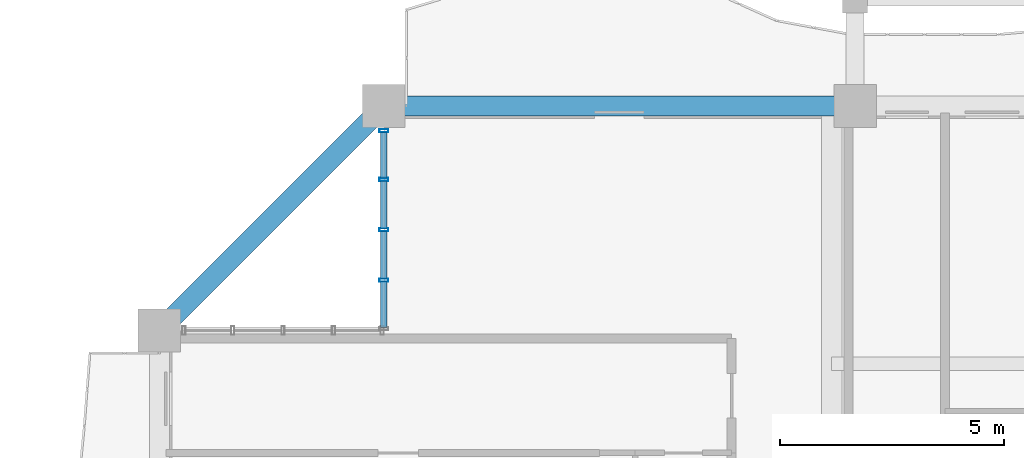
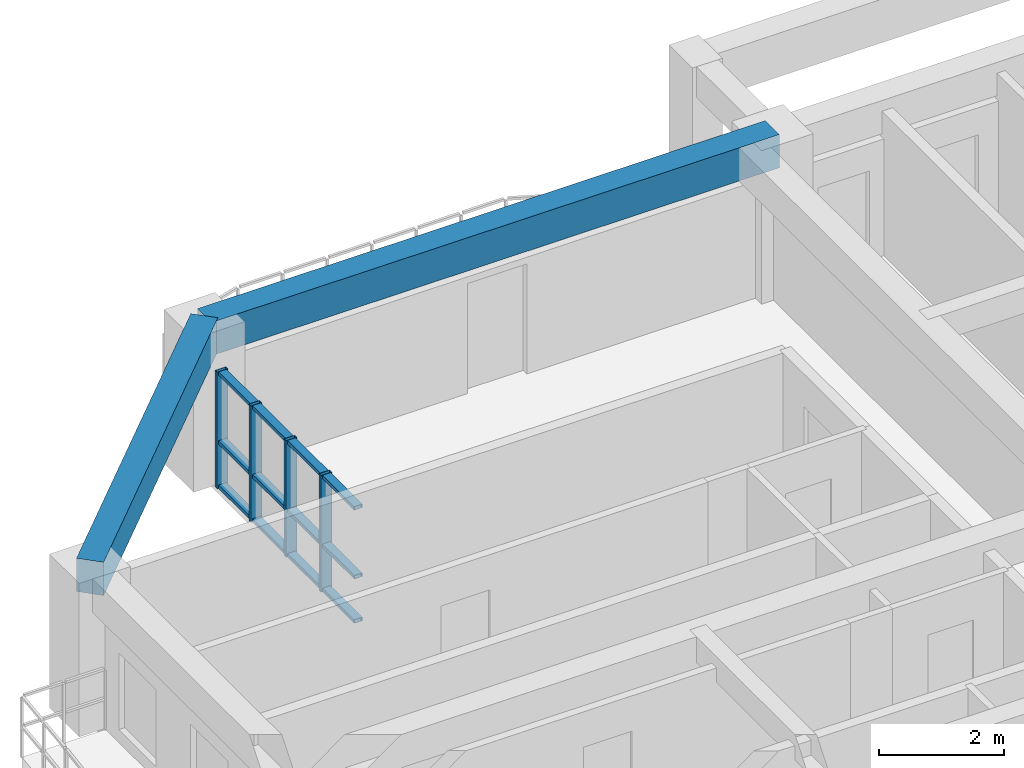
# One storey, part 7 of 24: 16 members, 2 beams, 1 element without a shape of its own.
"""IFC4 building model written with IfcOpenShell, lengths in metres."""

from ifc_helpers import new_model, si_unit, direction, frame, origin, origin_2d, place, context, subcontext, project, spatial, rectangle, hollow_rectangle, extrude, source, transform, mapped, material, layer, layer_set, material_profile, profile_set, type_object, element, aggregate, save


model = new_model("IFC4")

# Units and contexts
model_context = context("Model", 3, precision=1e-05, world=origin(), true_north=direction((0.0, 1.0)))
body_context = subcontext(model_context, "Body", "Model", "MODEL_VIEW")
ifc_project = project(units=[si_unit("LENGTHUNIT", "METRE"), si_unit("AREAUNIT", "SQUARE_METRE"), si_unit("VOLUMEUNIT", "CUBIC_METRE"), si_unit("PLANEANGLEUNIT", "RADIAN"), si_unit("MASSUNIT", "GRAM", prefix="KILO")], contexts=[model_context])

# Site, building, storey
site_placement = place(None, origin())
site = spatial("IfcSite", under=ifc_project, at=site_placement, CompositionType="ELEMENT")
building_placement = place(site_placement, origin())
building = spatial("IfcBuilding", under=site, at=building_placement, Name="Saelheon Loggia Tower", CompositionType="ELEMENT")
storey_placement = place(building_placement, frame((0.0, 0.0, 166.0)))
storey = spatial("IfcBuildingStorey", under=building, at=storey_placement, Name="L52", CompositionType="ELEMENT", Elevation=166.0)

# Beams
ifc_material_1 = material(Name="Concrete C40/50", Category="concrete")
ifc_material_profile_1 = material_profile(ifc_material_1, rectangle(XDim=0.449951171875, YDim=0.64990234375, at=origin_2d()), Name="RC-450x650")
ifc_profile_set_1 = profile_set([ifc_material_profile_1], Name="Concrete C40/50")
beam_type = type_object("IfcBeamType", Name="Beam_PerimTower_RC450x650", PredefinedType="BEAM", material=ifc_profile_set_1)
shared_shape_1 = source(origin(), body_context, "Body", "SweptSolid", [
    extrude(rectangle(XDim=0.449951171875, YDim=0.64990234375, at=origin_2d()), origin(), (0.0, 0.0, 1.0), 10.5),
])
beam_1_placement = place(storey_placement, frame((31.5, 48.0, 2.675048828125), z_axis=(-1.0, 0.0, 0.0), x_axis=(0.0, -1.0, 0.0)))
element("IfcBeam", 1, at=beam_1_placement, inside=storey, type_object=beam_type, Name="L52 Perimeter Frame Girder 11", PredefinedType="BEAM", context=body_context, shape_type="MappedRepresentation", body=[
    mapped(shared_shape_1, transform((0.0, 0.0, 0.0), scale=1.0)),
])
shared_shape_2 = source(origin(), body_context, "Body", "SweptSolid", [
    extrude(rectangle(XDim=0.449951171875, YDim=0.64990234375, at=origin_2d()), origin(), (0.0, 0.0, 1.0), 7.071044921875),
])
beam_2_placement = place(storey_placement, frame((21.0, 48.0, 2.675048828125), z_axis=(-0.707106781187, -0.707106781187, 0.0), x_axis=(0.707106781187, -0.707106781187, 0.0)))
element("IfcBeam", 2, at=beam_2_placement, inside=storey, type_object=beam_type, Name="L52 Perimeter Frame Girder 12", PredefinedType="BEAM", context=body_context, shape_type="MappedRepresentation", body=[
    mapped(shared_shape_2, transform((0.0, 0.0, 0.0), scale=1.0)),
])

# Curtain wall, members
ifc_material_2 = material(Name="High-Wind Aluminium and Triple Laminated Glass", Category="aluminium")
ifc_layer = layer(ifc_material_2, 0.179931640625)
ifc_layer_set = layer_set([ifc_layer], Name="High-Wind Aluminium and Triple Laminated Glass")
curtain_wall_type = type_object("IfcCurtainWallType", Name="CW_TowerLoggiaHigh", PredefinedType="NOTDEFINED", material=ifc_layer_set)
curtain_wall_placement = place(storey_placement, origin())
curtain_wall = element("IfcCurtainWall", 3, at=curtain_wall_placement, inside=storey, type_object=curtain_wall_type, Name="L52 Corner Notch Glazing NW1", PredefinedType="NOTDEFINED")
ifc_material_3 = material(Name="Anodised Aluminium 6063-T6", Category="aluminium")
ifc_material_profile_2 = material_profile(ifc_material_3, hollow_rectangle(XDim=0.070068359375, YDim=0.199951171875, WallThickness=0.0048828125, at=origin_2d()), Name="RHS-200x70x5")
ifc_profile_set_2 = profile_set([ifc_material_profile_2], Name="Anodised Aluminium 6063-T6")
member_type_1 = type_object("IfcMemberType", Name="CW_TowerLoggiaHigh_Mullion", PredefinedType="MULLION", material=ifc_profile_set_2)
shared_shape_3 = source(origin(), body_context, "Body", "SweptSolid", [
    extrude(hollow_rectangle(XDim=0.070068359375, YDim=0.199951171875, WallThickness=0.0048828125, at=origin_2d()), origin(), (0.0, 0.0, 1.0), 2.280029296875),
])
member_1_placement = place(storey_placement, frame((21.0, 44.121337890625, 0.0), z_axis=(0.0, 0.0, 1.0), x_axis=(0.0, 1.0, 0.0)))
member_1 = element("IfcMember", 4, at=member_1_placement, type_object=member_type_1, Name="CW4 mullion 2", PredefinedType="MULLION", context=body_context, shape_type="MappedRepresentation", body=[
    mapped(shared_shape_3, transform((0.0, 0.0, 0.0), scale=1.0)),
])
member_2_placement = place(storey_placement, frame((21.0, 45.242431640625, 0.0), z_axis=(0.0, 0.0, 1.0), x_axis=(0.0, 1.0, 0.0)))
member_2 = element("IfcMember", 5, at=member_2_placement, type_object=member_type_1, Name="CW4 mullion 3", PredefinedType="MULLION", context=body_context, shape_type="MappedRepresentation", body=[
    mapped(shared_shape_3, transform((0.0, 0.0, 0.0), scale=1.0)),
])
member_3_placement = place(storey_placement, frame((21.0, 46.36376953125, 0.0), z_axis=(0.0, 0.0, 1.0), x_axis=(0.0, 1.0, 0.0)))
member_3 = element("IfcMember", 6, at=member_3_placement, type_object=member_type_1, Name="CW4 mullion 4", PredefinedType="MULLION", context=body_context, shape_type="MappedRepresentation", body=[
    mapped(shared_shape_3, transform((0.0, 0.0, 0.0), scale=1.0)),
])
member_4_placement = place(storey_placement, frame((21.0, 47.449951171875, 0.0), z_axis=(0.0, 0.0, 1.0), x_axis=(0.0, 1.0, 0.0)))
member_4 = element("IfcMember", 7, at=member_4_placement, type_object=member_type_1, Name="CW4 mullion 5", PredefinedType="MULLION", context=body_context, shape_type="MappedRepresentation", body=[
    mapped(shared_shape_3, transform((0.0, 0.0, 0.0), scale=1.0)),
])
ifc_material_profile_3 = material_profile(ifc_material_3, hollow_rectangle(XDim=0.070068359375, YDim=0.14990234375, WallThickness=0.0048828125, at=origin_2d()), Name="RHS-150x70x5")
ifc_profile_set_3 = profile_set([ifc_material_profile_3], Name="Anodised Aluminium 6063-T6")
member_type_2 = type_object("IfcMemberType", Name="CW_TowerLoggiaHigh_Transom", PredefinedType="USERDEFINED", material=ifc_profile_set_3)
shared_shape_4 = source(origin(), body_context, "Body", "SweptSolid", [
    extrude(hollow_rectangle(XDim=0.070068359375, YDim=0.14990234375, WallThickness=0.0048828125, at=origin_2d()), origin(), (0.0, 0.0, 1.0), 1.016357421875),
])
member_5_placement = place(storey_placement, frame((21.0, 46.398681640625, 0.034912109375), z_axis=(0.0, 1.0, 0.0), x_axis=(0.0, 0.0, 1.0)))
member_5 = element("IfcMember", 8, at=member_5_placement, type_object=member_type_2, Name="CW4 transom 4.1", ObjectType="TRANSOM", PredefinedType="USERDEFINED", context=body_context, shape_type="MappedRepresentation", body=[
    mapped(shared_shape_4, transform((0.0, 0.0, 0.0), scale=1.0)),
])
member_6_placement = place(storey_placement, frame((21.0, 46.398681640625, 0.89990234375), z_axis=(0.0, 1.0, 0.0), x_axis=(0.0, 0.0, 1.0)))
member_6 = element("IfcMember", 9, at=member_6_placement, type_object=member_type_2, Name="CW4 transom 4.2", ObjectType="TRANSOM", PredefinedType="USERDEFINED", context=body_context, shape_type="MappedRepresentation", body=[
    mapped(shared_shape_4, transform((0.0, 0.0, 0.0), scale=1.0)),
])
member_7_placement = place(storey_placement, frame((21.0, 46.398681640625, 2.2451171875), z_axis=(0.0, 1.0, 0.0), x_axis=(0.0, 0.0, 1.0)))
member_7 = element("IfcMember", 10, at=member_7_placement, type_object=member_type_2, Name="CW4 transom 4.3", ObjectType="TRANSOM", PredefinedType="USERDEFINED", context=body_context, shape_type="MappedRepresentation", body=[
    mapped(shared_shape_4, transform((0.0, 0.0, 0.0), scale=1.0)),
])
shared_shape_5 = source(origin(), body_context, "Body", "SweptSolid", [
    extrude(hollow_rectangle(XDim=0.070068359375, YDim=0.14990234375, WallThickness=0.0048828125, at=origin_2d()), origin(), (0.0, 0.0, 1.0), 1.05126953125),
])
member_8_placement = place(storey_placement, frame((21.0, 44.15625, 0.034912109375), z_axis=(0.0, 1.0, 0.0), x_axis=(0.0, 0.0, 1.0)))
member_8 = element("IfcMember", 11, at=member_8_placement, type_object=member_type_2, Name="CW4 transom 2.1", ObjectType="TRANSOM", PredefinedType="USERDEFINED", context=body_context, shape_type="MappedRepresentation", body=[
    mapped(shared_shape_5, transform((0.0, 0.0, 0.0), scale=1.0)),
])
member_9_placement = place(storey_placement, frame((21.0, 44.15625, 0.89990234375), z_axis=(0.0, 1.0, 0.0), x_axis=(0.0, 0.0, 1.0)))
member_9 = element("IfcMember", 12, at=member_9_placement, type_object=member_type_2, Name="CW4 transom 2.2", ObjectType="TRANSOM", PredefinedType="USERDEFINED", context=body_context, shape_type="MappedRepresentation", body=[
    mapped(shared_shape_5, transform((0.0, 0.0, 0.0), scale=1.0)),
])
member_10_placement = place(storey_placement, frame((21.0, 44.15625, 2.2451171875), z_axis=(0.0, 1.0, 0.0), x_axis=(0.0, 0.0, 1.0)))
member_10 = element("IfcMember", 13, at=member_10_placement, type_object=member_type_2, Name="CW4 transom 2.3", ObjectType="TRANSOM", PredefinedType="USERDEFINED", context=body_context, shape_type="MappedRepresentation", body=[
    mapped(shared_shape_5, transform((0.0, 0.0, 0.0), scale=1.0)),
])
member_11_placement = place(storey_placement, frame((21.0, 45.277587890625, 0.034912109375), z_axis=(0.0, 1.0, 0.0), x_axis=(0.0, 0.0, 1.0)))
member_11 = element("IfcMember", 14, at=member_11_placement, type_object=member_type_2, Name="CW4 transom 3.1", ObjectType="TRANSOM", PredefinedType="USERDEFINED", context=body_context, shape_type="MappedRepresentation", body=[
    mapped(shared_shape_5, transform((0.0, 0.0, 0.0), scale=1.0)),
])
member_12_placement = place(storey_placement, frame((21.0, 45.277587890625, 0.89990234375), z_axis=(0.0, 1.0, 0.0), x_axis=(0.0, 0.0, 1.0)))
member_12 = element("IfcMember", 15, at=member_12_placement, type_object=member_type_2, Name="CW4 transom 3.2", ObjectType="TRANSOM", PredefinedType="USERDEFINED", context=body_context, shape_type="MappedRepresentation", body=[
    mapped(shared_shape_5, transform((0.0, 0.0, 0.0), scale=1.0)),
])
member_13_placement = place(storey_placement, frame((21.0, 45.277587890625, 2.2451171875), z_axis=(0.0, 1.0, 0.0), x_axis=(0.0, 0.0, 1.0)))
member_13 = element("IfcMember", 16, at=member_13_placement, type_object=member_type_2, Name="CW4 transom 3.3", ObjectType="TRANSOM", PredefinedType="USERDEFINED", context=body_context, shape_type="MappedRepresentation", body=[
    mapped(shared_shape_5, transform((0.0, 0.0, 0.0), scale=1.0)),
])
shared_shape_6 = source(origin(), body_context, "Body", "SweptSolid", [
    extrude(hollow_rectangle(XDim=0.070068359375, YDim=0.14990234375, WallThickness=0.0048828125, at=origin_2d()), origin(), (0.0, 0.0, 1.0), 1.01611328125),
])
member_14_placement = place(storey_placement, frame((21.0, 43.070068359375, 0.034912109375), z_axis=(0.0, 1.0, 0.0), x_axis=(0.0, 0.0, 1.0)))
member_14 = element("IfcMember", 17, at=member_14_placement, type_object=member_type_2, Name="CW4 transom 1.1", ObjectType="TRANSOM", PredefinedType="USERDEFINED", context=body_context, shape_type="MappedRepresentation", body=[
    mapped(shared_shape_6, transform((0.0, 0.0, 0.0), scale=1.0)),
])
member_15_placement = place(storey_placement, frame((21.0, 43.070068359375, 0.89990234375), z_axis=(0.0, 1.0, 0.0), x_axis=(0.0, 0.0, 1.0)))
member_15 = element("IfcMember", 18, at=member_15_placement, type_object=member_type_2, Name="CW4 transom 1.2", ObjectType="TRANSOM", PredefinedType="USERDEFINED", context=body_context, shape_type="MappedRepresentation", body=[
    mapped(shared_shape_6, transform((0.0, 0.0, 0.0), scale=1.0)),
])
member_16_placement = place(storey_placement, frame((21.0, 43.070068359375, 2.2451171875), z_axis=(0.0, 1.0, 0.0), x_axis=(0.0, 0.0, 1.0)))
member_16 = element("IfcMember", 19, at=member_16_placement, type_object=member_type_2, Name="CW4 transom 1.3", ObjectType="TRANSOM", PredefinedType="USERDEFINED", context=body_context, shape_type="MappedRepresentation", body=[
    mapped(shared_shape_6, transform((0.0, 0.0, 0.0), scale=1.0)),
])
aggregate(curtain_wall, [member_1, member_2, member_3, member_4, member_14, member_15, member_16, member_8, member_9, member_10, member_11, member_12, member_13, member_5, member_6, member_7])

save(model, "model.ifc")
